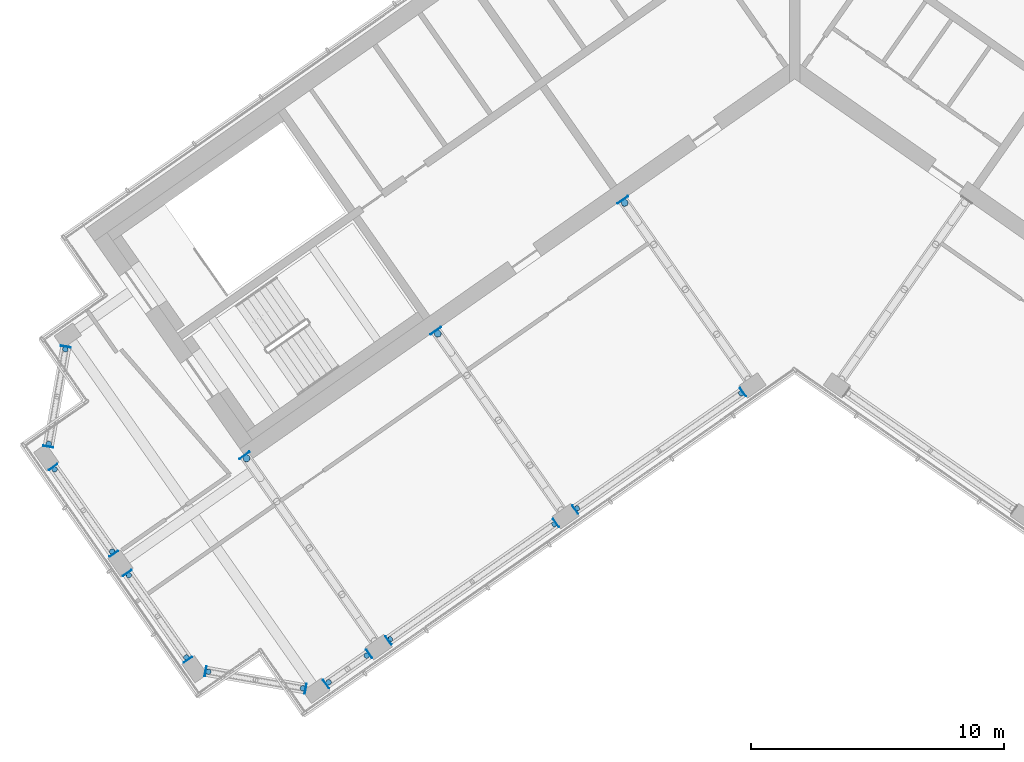
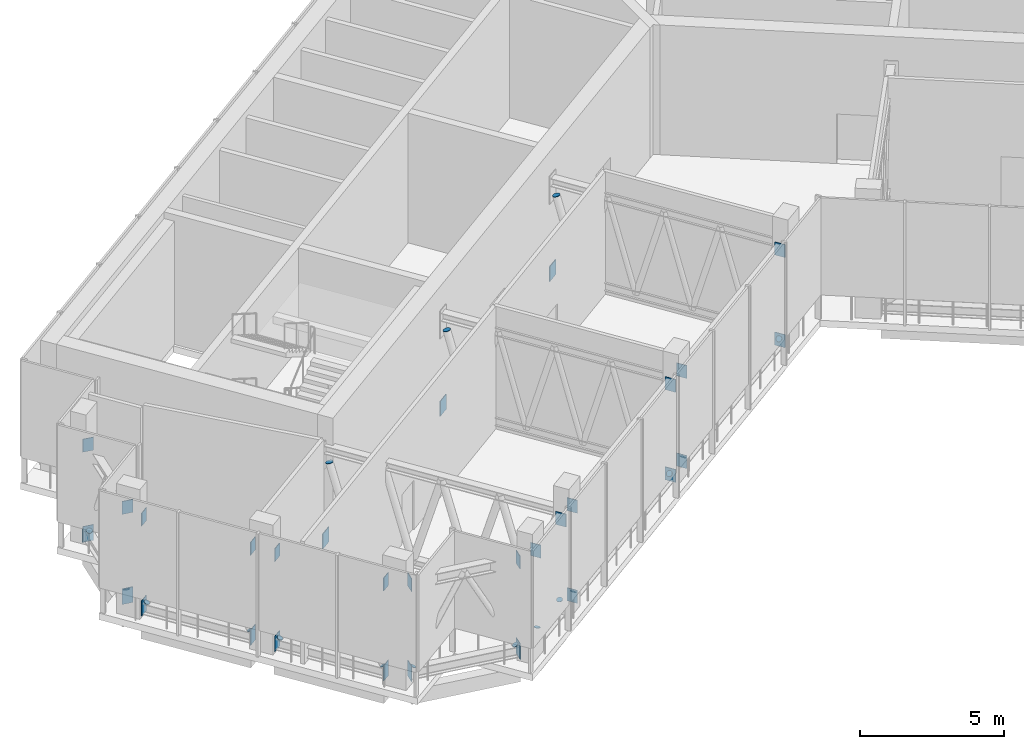
# One storey, part 9 of 16: 46 discrete accessories.
"""IFC4 building model written with IfcOpenShell, lengths in metres."""

from ifc_helpers import new_model, si_unit, direction, frame, origin, origin_2d, place, context, subcontext, project, spatial, rectangle, circle, extrude, material, layer, layer_set, material_profile, profile_set, type_object, element, save


model = new_model("IFC4")

# Units and contexts
model_context = context("Model", 3, precision=1e-05, world=origin(), true_north=direction((0.0, 1.0)))
body_context = subcontext(model_context, "Body", "Model", "MODEL_VIEW")
ifc_project = project(units=[si_unit("LENGTHUNIT", "METRE"), si_unit("AREAUNIT", "SQUARE_METRE"), si_unit("VOLUMEUNIT", "CUBIC_METRE"), si_unit("PLANEANGLEUNIT", "RADIAN"), si_unit("MASSUNIT", "GRAM", prefix="KILO")], contexts=[model_context])

# Site, building, storey
site_placement = place(None, origin())
site = spatial("IfcSite", under=ifc_project, at=site_placement, CompositionType="ELEMENT")
building_placement = place(site_placement, origin())
building = spatial("IfcBuilding", under=site, at=building_placement, Name="Tel Ilan Convention Tower", CompositionType="ELEMENT")
storey_placement = place(building_placement, frame((0.0, 0.0, 313.300048828125)))
storey = spatial("IfcBuildingStorey", under=building, at=storey_placement, Name="L74", CompositionType="ELEMENT", Elevation=313.300048828125)

# Discrete accessories
ifc_material_1 = material(Name="Steel S355", Category="steel")
ifc_layer_1 = layer(ifc_material_1, 0.030029296875)
ifc_layer_set_1 = layer_set([ifc_layer_1], Name="Cast-in Plate 30 mm Steel S355")
discrete_accessory_type_1 = type_object("IfcDiscreteAccessoryType", Name="Cast-in Plate 30 mm Steel S355", PredefinedType="ANCHORPLATE", material=ifc_layer_set_1)
for number, where, z_axis, x_axis, name in (
    (1, (-6.790283203125, -5.99365234375, 0.02978515625), (0.0, 0.0, 1.0), (-0.573576436351, 0.819152044289, 0.0), "L74 W-F1 outrigger cast-in plate"),
    (2, (-14.16259765625, -11.15576171875, 0.02978515625), (0.0, 0.0, 1.0), (-0.573576436351, 0.819152044289, 0.0), "L74 W-F2 outrigger cast-in plate"),
    (3, (-21.70703125, -16.072265625, 0.02978515625), (0.0, 0.0, 1.0), (-0.573576436351, 0.819152044289, 0.0), "L74 W-F3 outrigger cast-in plate"),
):
    element("IfcDiscreteAccessory", number, at=place(storey_placement, frame(where, z_axis=z_axis, x_axis=x_axis)), inside=storey, type_object=discrete_accessory_type_1, Name=name, PredefinedType="ANCHORPLATE", context=body_context, shape_type="SweptSolid", body=[
        extrude(rectangle(XDim=0.030029296875, YDim=0.5, at=origin_2d()), origin(), (0.0, 0.0, 1.0), 0.639892578125),
    ])
ifc_material_2 = material(Name="Steel S355", Category="steel")
ifc_material_profile_1 = material_profile(ifc_material_2, circle(Radius=0.109619140625, at=origin_2d()), Name="End Cap Disc 219 mm Steel S355")
ifc_profile_set_1 = profile_set([ifc_material_profile_1], Name="Steel S355")
discrete_accessory_type_2 = type_object("IfcDiscreteAccessoryType", Name="End Cap Disc 219 mm Steel S355", PredefinedType="BRACKET", material=ifc_profile_set_1)
for number, where, z_axis, x_axis, name in (
    (4, (-2.1279296875, -13.63671875, 0.458251953125), (0.593950302218, 0.412128781131, -0.690921780131), (-0.570081548206, 0.821588113591, 0.0), "L74 W-F1-W-F2 belt end cap"),
    (5, (-8.5751953125, -18.15087890625, 0.458251953125), (-0.583029399948, -0.425125604129, -0.692347412438), (0.589172157449, -0.808007530216, 0.0), "L74 W-F1-W-F2 belt end cap"),
    (6, (-9.500244140625, -18.798828125, 0.458251953125), (0.593950302218, 0.412128781131, -0.690921780131), (-0.570081548206, 0.821588113591, 0.0), "L74 W-F2-W-F3 belt end cap"),
    (7, (-15.947509765625, -23.313232421875, 0.458251953125), (-0.586019869564, -0.415097407608, -0.695898595108), (0.57801734078, -0.816024481102, 0.0), "L74 W-F2-W-F3 belt end cap"),
    (8, (-16.889892578125, -23.97314453125, 0.844482421875), (0.219757451087, 0.146504967391, -0.964491035325), (-0.554700196225, 0.832050294338, 0.0), "L74 W-F3-W-FC belt end cap"),
    (9, (-18.387451171875, -25.021728515625, 0.844482421875), (-0.2193491466, -0.1584188281, -0.962699032299), (0.585490553844, -0.8106792284, 0.0), "L74 W-F3-W-FC belt end cap"),
    (10, (-19.41455078125, -25.261474609375, 0.5986328125), (0.465496159673, -0.073499393633, -0.88199272359), (0.155962573473, 0.987762965329, 0.0), "L74 W-FC-W-E1 belt end cap"),
    (11, (-23.125244140625, -24.607177734375, 0.5986328125), (-0.465042782522, 0.085665775728, -0.8811336932), (-0.181162429477, -0.983453188589, 0.0), "L74 W-FC-W-E1 belt end cap"),
    (12, (-24.00537109375, -24.034912109375, 0.587646484375), (0.267636733915, -0.401455100873, -0.875902038268), (0.832050294338, 0.554700196225, 0.0), "L74 W-E1-W-E2 belt end cap"),
    (13, (-26.2646484375, -20.80859375, 0.587646484375), (-0.268933382783, 0.391175829503, -0.880145616382), (-0.824041924199, -0.566528822887, 0.0), "L74 W-E1-W-E2 belt end cap"),
    (14, (-26.9306640625, -19.857421875, 0.587646484375), (0.280217053639, -0.389867205063, -0.877201211391), (0.812015371343, 0.583636048153, 0.0), "L74 W-E2-W-E3 belt end cap"),
    (15, (-29.189697265625, -16.630859375, 0.587646484375), (-0.280217053639, 0.389867205063, -0.877201211391), (-0.812015371343, -0.583636048153, 0.0), "L74 W-E2-W-E3 belt end cap"),
    (16, (-29.426513671875, -15.608154296875, 0.5986328125), (-0.073499393633, -0.465496159673, -0.88199272359), (0.987762965329, -0.155962573473, 0.0), "L74 W-E3-W-BC belt end cap"),
    (17, (-28.772216796875, -11.8974609375, 0.5986328125), (0.085665775728, 0.465042782522, -0.8811336932), (-0.983453188589, 0.181162429477, 0.0), "L74 W-E3-W-BC belt end cap"),
):
    element("IfcDiscreteAccessory", number, at=place(storey_placement, frame(where, z_axis=z_axis, x_axis=x_axis)), inside=storey, type_object=discrete_accessory_type_2, Name=name, PredefinedType="BRACKET", context=body_context, shape_type="SweptSolid", body=[
        extrude(circle(Radius=0.109619140625, at=origin_2d()), origin(), (0.0, 0.0, 1.0), 0.02001953125),
    ])
ifc_material_3 = material(Name="Steel S355", Category="steel")
ifc_material_profile_2 = material_profile(ifc_material_3, circle(Radius=0.136474609375, at=origin_2d()), Name="End Cap Disc 273 mm Steel S355")
ifc_profile_set_2 = profile_set([ifc_material_profile_2], Name="Steel S355")
discrete_accessory_type_3 = type_object("IfcDiscreteAccessoryType", Name="End Cap Disc 273 mm Steel S355", PredefinedType="BRACKET", material=ifc_profile_set_2)
for number, where, z_axis, x_axis, name in (
    (18, (-6.703125, -6.117919921875, 3.58056640625), (-0.1584188281, 0.2193491466, 0.962699032299), (-0.8106792284, -0.585490553844, 0.0), "L74 W-F1 outrigger end cap"),
    (19, (-14.075439453125, -11.2802734375, 3.58056640625), (-0.157985396841, 0.230901733845, 0.960065103882), (-0.82530726125, -0.564683915592, 0.0), "L74 W-F2 outrigger end cap"),
    (20, (-21.6201171875, -16.196533203125, 3.60107421875), (-0.157985396841, 0.230901733845, 0.960065103882), (-0.82530726125, -0.564683915592, 0.0), "L74 W-F3 outrigger end cap"),
):
    element("IfcDiscreteAccessory", number, at=place(storey_placement, frame(where, z_axis=z_axis, x_axis=x_axis)), inside=storey, type_object=discrete_accessory_type_3, Name=name, PredefinedType="BRACKET", context=body_context, shape_type="SweptSolid", body=[
        extrude(circle(Radius=0.136474609375, at=origin_2d()), origin(), (0.0, 0.0, 1.0), 0.02001953125),
    ])
ifc_material_4 = material(Name="Steel S355", Category="steel")
ifc_layer_2 = layer(ifc_material_4, 0.02490234375)
ifc_layer_set_2 = layer_set([ifc_layer_2], Name="End Plate 25 mm Steel S355")
discrete_accessory_type_4 = type_object("IfcDiscreteAccessoryType", Name="End Plate 25 mm Steel S355", PredefinedType="BRACKET", material=ifc_layer_set_2)
for number, where, z_axis, x_axis, name in (
    (21, (-8.65869140625, -18.209716796875, 0.07470703125), (0.0, 0.0, 1.0), (-0.819152044289, -0.573576436351, 0.0), "L74 W-F1-W-F2 belt end plate"),
    (22, (-8.65869140625, -18.209716796875, 3.89501953125), (0.0, 0.0, 1.0), (-0.819152044289, -0.573576436351, 0.0), "L74 W-F1-W-F2 belt end plate"),
    (23, (-2.044189453125, -13.577880859375, 0.07470703125), (0.0, 0.0, 1.0), (0.819152044289, 0.573576436351, 0.0), "L74 W-F1-W-F2 belt end plate"),
    (24, (-2.044189453125, -13.577880859375, 3.89501953125), (0.0, 0.0, 1.0), (0.819152044289, 0.573576436351, 0.0), "L74 W-F1-W-F2 belt end plate"),
    (25, (-16.03125, -23.371826171875, 0.07470703125), (0.0, 0.0, 1.0), (-0.819152044289, -0.573576436351, 0.0), "L74 W-F2-W-F3 belt end plate"),
    (26, (-16.03125, -23.371826171875, 3.89501953125), (0.0, 0.0, 1.0), (-0.819152044289, -0.573576436351, 0.0), "L74 W-F2-W-F3 belt end plate"),
    (27, (-9.41650390625, -18.740234375, 0.07470703125), (0.0, 0.0, 1.0), (0.819152044289, 0.573576436351, 0.0), "L74 W-F2-W-F3 belt end plate"),
    (28, (-9.41650390625, -18.740234375, 3.89501953125), (0.0, 0.0, 1.0), (0.819152044289, 0.573576436351, 0.0), "L74 W-F2-W-F3 belt end plate"),
    (29, (-18.488525390625, -25.092529296875, 3.89501953125), (0.0, 0.0, 1.0), (-0.819152044289, -0.573576436351, 0.0), "L74 W-F3-W-FC belt end plate"),
    (30, (-16.788818359375, -23.90234375, 3.89501953125), (0.0, 0.0, 1.0), (0.819152044289, 0.573576436351, 0.0), "L74 W-F3-W-FC belt end plate"),
):
    element("IfcDiscreteAccessory", number, at=place(storey_placement, frame(where, z_axis=z_axis, x_axis=x_axis)), inside=storey, type_object=discrete_accessory_type_4, Name=name, PredefinedType="BRACKET", context=body_context, shape_type="SweptSolid", body=[
        extrude(rectangle(XDim=0.02490234375, YDim=0.39990234375, at=origin_2d()), origin(), (0.0, 0.0, 1.0), 0.550048828125),
    ])
discrete_accessory_1_placement = place(storey_placement, frame((-23.2421875, -24.58642578125, 0.074951171875), z_axis=(0.0, 0.0, 1.0), x_axis=(-0.984807753012, 0.173648177667, 0.0)))
element("IfcDiscreteAccessory", 31, at=discrete_accessory_1_placement, inside=storey, type_object=discrete_accessory_type_4, Name="L74 W-FC-W-E1 belt end plate", PredefinedType="BRACKET", context=body_context, shape_type="SweptSolid", body=[
    extrude(rectangle(XDim=0.02490234375, YDim=0.39990234375, at=origin_2d()), origin(), (0.0, 0.0, 1.0), 0.66552734375),
])
discrete_accessory_2_placement = place(storey_placement, frame((-23.2421875, -24.58642578125, 3.89501953125), z_axis=(0.0, 0.0, 1.0), x_axis=(-0.984807753012, 0.173648177667, 0.0)))
element("IfcDiscreteAccessory", 32, at=discrete_accessory_2_placement, inside=storey, type_object=discrete_accessory_type_4, Name="L74 W-FC-W-E1 belt end plate", PredefinedType="BRACKET", context=body_context, shape_type="SweptSolid", body=[
    extrude(rectangle(XDim=0.02490234375, YDim=0.39990234375, at=origin_2d()), origin(), (0.0, 0.0, 1.0), 0.550048828125),
])
discrete_accessory_3_placement = place(storey_placement, frame((-19.297607421875, -25.281982421875, 0.074951171875), z_axis=(0.0, 0.0, 1.0), x_axis=(0.984807753012, -0.173648177667, 0.0)))
element("IfcDiscreteAccessory", 33, at=discrete_accessory_3_placement, inside=storey, type_object=discrete_accessory_type_4, Name="L74 W-FC-W-E1 belt end plate", PredefinedType="BRACKET", context=body_context, shape_type="SweptSolid", body=[
    extrude(rectangle(XDim=0.02490234375, YDim=0.39990234375, at=origin_2d()), origin(), (0.0, 0.0, 1.0), 0.66552734375),
])
discrete_accessory_4_placement = place(storey_placement, frame((-19.297607421875, -25.281982421875, 3.89501953125), z_axis=(0.0, 0.0, 1.0), x_axis=(0.984807753012, -0.173648177667, 0.0)))
element("IfcDiscreteAccessory", 34, at=discrete_accessory_4_placement, inside=storey, type_object=discrete_accessory_type_4, Name="L74 W-FC-W-E1 belt end plate", PredefinedType="BRACKET", context=body_context, shape_type="SweptSolid", body=[
    extrude(rectangle(XDim=0.02490234375, YDim=0.39990234375, at=origin_2d()), origin(), (0.0, 0.0, 1.0), 0.550048828125),
])
discrete_accessory_5_placement = place(storey_placement, frame((-26.332275390625, -20.7119140625, 0.074951171875), z_axis=(0.0, 0.0, 1.0), x_axis=(-0.573576436351, 0.819152044289, 0.0)))
element("IfcDiscreteAccessory", 35, at=discrete_accessory_5_placement, inside=storey, type_object=discrete_accessory_type_4, Name="L74 W-E1-W-E2 belt end plate", PredefinedType="BRACKET", context=body_context, shape_type="SweptSolid", body=[
    extrude(rectangle(XDim=0.02490234375, YDim=0.39990234375, at=origin_2d()), origin(), (0.0, 0.0, 1.0), 0.65478515625),
])
discrete_accessory_6_placement = place(storey_placement, frame((-26.332275390625, -20.7119140625, 3.89501953125), z_axis=(0.0, 0.0, 1.0), x_axis=(-0.573576436351, 0.819152044289, 0.0)))
element("IfcDiscreteAccessory", 36, at=discrete_accessory_6_placement, inside=storey, type_object=discrete_accessory_type_4, Name="L74 W-E1-W-E2 belt end plate", PredefinedType="BRACKET", context=body_context, shape_type="SweptSolid", body=[
    extrude(rectangle(XDim=0.02490234375, YDim=0.39990234375, at=origin_2d()), origin(), (0.0, 0.0, 1.0), 0.550048828125),
])
discrete_accessory_7_placement = place(storey_placement, frame((-23.937744140625, -24.1318359375, 0.074951171875), z_axis=(0.0, 0.0, 1.0), x_axis=(0.573576436351, -0.819152044289, 0.0)))
element("IfcDiscreteAccessory", 37, at=discrete_accessory_7_placement, inside=storey, type_object=discrete_accessory_type_4, Name="L74 W-E1-W-E2 belt end plate", PredefinedType="BRACKET", context=body_context, shape_type="SweptSolid", body=[
    extrude(rectangle(XDim=0.02490234375, YDim=0.39990234375, at=origin_2d()), origin(), (0.0, 0.0, 1.0), 0.65478515625),
])
discrete_accessory_8_placement = place(storey_placement, frame((-23.937744140625, -24.1318359375, 3.89501953125), z_axis=(0.0, 0.0, 1.0), x_axis=(0.573576436351, -0.819152044289, 0.0)))
element("IfcDiscreteAccessory", 38, at=discrete_accessory_8_placement, inside=storey, type_object=discrete_accessory_type_4, Name="L74 W-E1-W-E2 belt end plate", PredefinedType="BRACKET", context=body_context, shape_type="SweptSolid", body=[
    extrude(rectangle(XDim=0.02490234375, YDim=0.39990234375, at=origin_2d()), origin(), (0.0, 0.0, 1.0), 0.550048828125),
])
discrete_accessory_9_placement = place(storey_placement, frame((-29.257568359375, -16.5341796875, 0.074951171875), z_axis=(0.0, 0.0, 1.0), x_axis=(-0.573576436351, 0.819152044289, 0.0)))
element("IfcDiscreteAccessory", 39, at=discrete_accessory_9_placement, inside=storey, type_object=discrete_accessory_type_4, Name="L74 W-E2-W-E3 belt end plate", PredefinedType="BRACKET", context=body_context, shape_type="SweptSolid", body=[
    extrude(rectangle(XDim=0.02490234375, YDim=0.39990234375, at=origin_2d()), origin(), (0.0, 0.0, 1.0), 0.65478515625),
])
discrete_accessory_10_placement = place(storey_placement, frame((-29.257568359375, -16.5341796875, 3.89501953125), z_axis=(0.0, 0.0, 1.0), x_axis=(-0.573576436351, 0.819152044289, 0.0)))
element("IfcDiscreteAccessory", 40, at=discrete_accessory_10_placement, inside=storey, type_object=discrete_accessory_type_4, Name="L74 W-E2-W-E3 belt end plate", PredefinedType="BRACKET", context=body_context, shape_type="SweptSolid", body=[
    extrude(rectangle(XDim=0.02490234375, YDim=0.39990234375, at=origin_2d()), origin(), (0.0, 0.0, 1.0), 0.550048828125),
])
discrete_accessory_11_placement = place(storey_placement, frame((-26.86279296875, -19.9541015625, 0.074951171875), z_axis=(0.0, 0.0, 1.0), x_axis=(0.573576436351, -0.819152044289, 0.0)))
element("IfcDiscreteAccessory", 41, at=discrete_accessory_11_placement, inside=storey, type_object=discrete_accessory_type_4, Name="L74 W-E2-W-E3 belt end plate", PredefinedType="BRACKET", context=body_context, shape_type="SweptSolid", body=[
    extrude(rectangle(XDim=0.02490234375, YDim=0.39990234375, at=origin_2d()), origin(), (0.0, 0.0, 1.0), 0.65478515625),
])
discrete_accessory_12_placement = place(storey_placement, frame((-26.86279296875, -19.9541015625, 3.89501953125), z_axis=(0.0, 0.0, 1.0), x_axis=(0.573576436351, -0.819152044289, 0.0)))
element("IfcDiscreteAccessory", 42, at=discrete_accessory_12_placement, inside=storey, type_object=discrete_accessory_type_4, Name="L74 W-E2-W-E3 belt end plate", PredefinedType="BRACKET", context=body_context, shape_type="SweptSolid", body=[
    extrude(rectangle(XDim=0.02490234375, YDim=0.39990234375, at=origin_2d()), origin(), (0.0, 0.0, 1.0), 0.550048828125),
])
discrete_accessory_13_placement = place(storey_placement, frame((-29.447021484375, -15.72509765625, 0.074951171875), z_axis=(0.0, 0.0, 1.0), x_axis=(-0.173648177667, -0.984807753012, 0.0)))
element("IfcDiscreteAccessory", 43, at=discrete_accessory_13_placement, inside=storey, type_object=discrete_accessory_type_4, Name="L74 W-E3-W-BC belt end plate", PredefinedType="BRACKET", context=body_context, shape_type="SweptSolid", body=[
    extrude(rectangle(XDim=0.02490234375, YDim=0.39990234375, at=origin_2d()), origin(), (0.0, 0.0, 1.0), 0.66552734375),
])
discrete_accessory_14_placement = place(storey_placement, frame((-29.447021484375, -15.72509765625, 3.89501953125), z_axis=(0.0, 0.0, 1.0), x_axis=(-0.173648177667, -0.984807753012, 0.0)))
element("IfcDiscreteAccessory", 44, at=discrete_accessory_14_placement, inside=storey, type_object=discrete_accessory_type_4, Name="L74 W-E3-W-BC belt end plate", PredefinedType="BRACKET", context=body_context, shape_type="SweptSolid", body=[
    extrude(rectangle(XDim=0.02490234375, YDim=0.39990234375, at=origin_2d()), origin(), (0.0, 0.0, 1.0), 0.550048828125),
])
discrete_accessory_15_placement = place(storey_placement, frame((-28.75146484375, -11.780517578125, 0.074951171875), z_axis=(0.0, 0.0, 1.0), x_axis=(0.173648177667, 0.984807753012, 0.0)))
element("IfcDiscreteAccessory", 45, at=discrete_accessory_15_placement, inside=storey, type_object=discrete_accessory_type_4, Name="L74 W-E3-W-BC belt end plate", PredefinedType="BRACKET", context=body_context, shape_type="SweptSolid", body=[
    extrude(rectangle(XDim=0.02490234375, YDim=0.39990234375, at=origin_2d()), origin(), (0.0, 0.0, 1.0), 0.66552734375),
])
discrete_accessory_16_placement = place(storey_placement, frame((-28.75146484375, -11.780517578125, 3.89501953125), z_axis=(0.0, 0.0, 1.0), x_axis=(0.173648177667, 0.984807753012, 0.0)))
element("IfcDiscreteAccessory", 46, at=discrete_accessory_16_placement, inside=storey, type_object=discrete_accessory_type_4, Name="L74 W-E3-W-BC belt end plate", PredefinedType="BRACKET", context=body_context, shape_type="SweptSolid", body=[
    extrude(rectangle(XDim=0.02490234375, YDim=0.39990234375, at=origin_2d()), origin(), (0.0, 0.0, 1.0), 0.550048828125),
])

save(model, "model.ifc")
